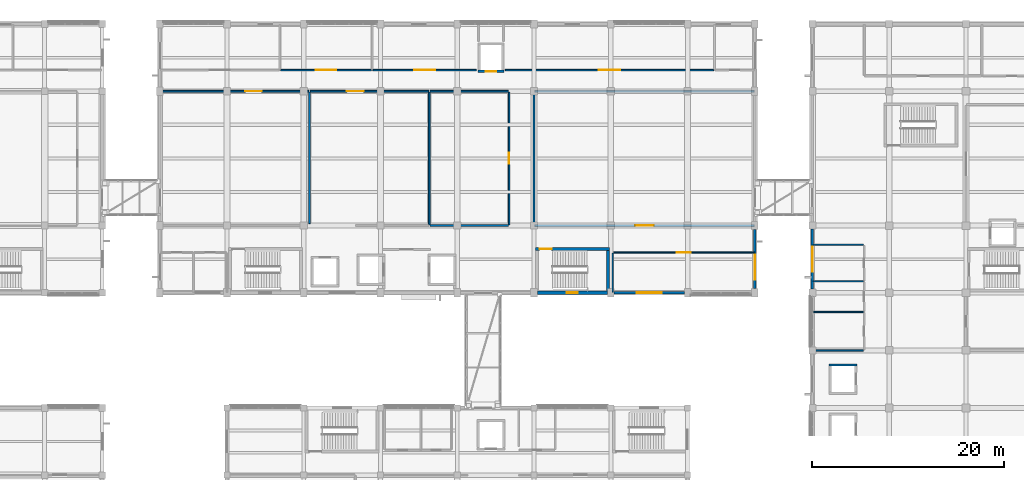
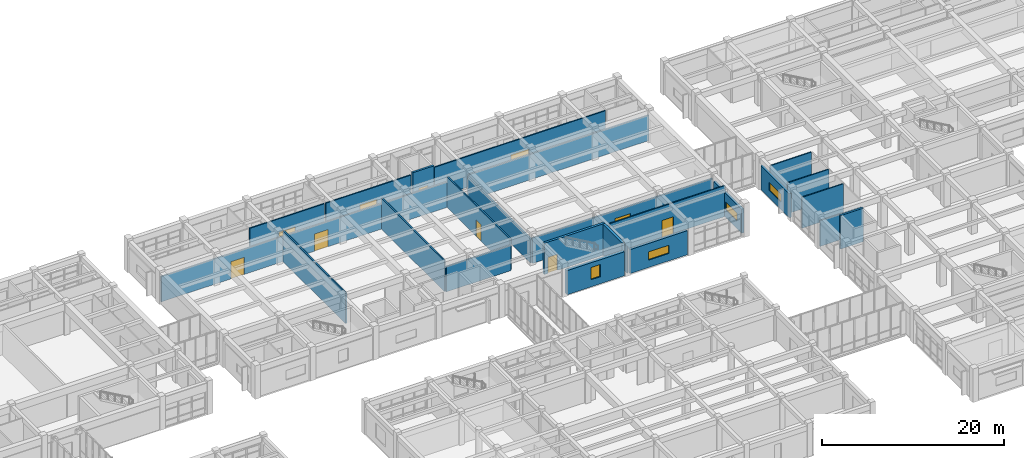
# One storey, part 51 of 70: 27 walls, 10 doors, 4 windows, 14 openings.
"""IFC4 building model written with IfcOpenShell, lengths in metres."""

from ifc_helpers import new_model, si_unit, direction, frame, frame_2d, origin, place, context, subcontext, project, spatial, rectangle, extrude, material, layer, layer_set, type_object, element, fill, save


model = new_model("IFC4")

# Units and contexts
model_context = context("Model", 3, precision=1e-05, world=origin(), true_north=direction((0.0, 1.0)))
body_context = subcontext(model_context, "Body", "Model", "MODEL_VIEW")
ifc_project = project(units=[si_unit("LENGTHUNIT", "METRE"), si_unit("AREAUNIT", "SQUARE_METRE"), si_unit("VOLUMEUNIT", "CUBIC_METRE"), si_unit("PLANEANGLEUNIT", "RADIAN"), si_unit("MASSUNIT", "GRAM", prefix="KILO")], contexts=[model_context])

# Site, building, storey
site_placement = place(None, origin())
site = spatial("IfcSite", under=ifc_project, at=site_placement, CompositionType="ELEMENT")
building_placement = place(site_placement, origin())
building = spatial("IfcBuilding", under=site, at=building_placement, Name="Naurynzar Civic Courthouse", CompositionType="ELEMENT")
storey_placement = place(building_placement, frame((0.0, 0.0, 5.39990234375)))
storey = spatial("IfcBuildingStorey", under=building, at=storey_placement, Name="L02", CompositionType="ELEMENT", Elevation=5.39990234375)

# Wall, opening, door
ifc_material_1 = material(Name="Acoustic Double-Stud Gypsum Partition")
ifc_layer_1 = layer(ifc_material_1, 0.169921875)
ifc_layer_set_1 = layer_set([ifc_layer_1], Name="WL-ACOUSTIC-170")
wall_type_1 = type_object("IfcWallType", Name="WL-ACOUSTIC-170", PredefinedType="PARTITIONING", material=ifc_layer_set_1)
wall_1_placement = place(storey_placement, frame((62.080078125, 65.0, 0.0), z_axis=(0.0, 0.0, 1.0), x_axis=(1.0, 0.0, 0.0)))
wall_1 = element("IfcWall", 1, at=wall_1_placement, inside=storey, type_object=wall_type_1, Name="V2 interior partition L02.237", PredefinedType="PARTITIONING", context=body_context, shape_type="SweptSolid", body=[
    extrude(rectangle(XDim=15.43994140625, YDim=0.169921875, at=frame_2d((7.719970703125, 0.0))), origin(), (0.0, 0.0, 1.0), 3.400146484375),
])
opening_1_placement = place(wall_1_placement, frame((8.825927734375, 0.0, 0.0)))
opening_1 = element("IfcOpeningElement", 2, at=opening_1_placement, cuts=wall_1, Name="Opening D-117", PredefinedType="OPENING", context=body_context, shape_type="SweptSolid", body=[
    extrude(rectangle(XDim=1.699951171875, YDim=2.300048828125, at=frame_2d((0.85009765625, 1.14990234375))), frame((0.0, 0.094970703125, 0.0), z_axis=(0.0, -1.0, 0.0), x_axis=(1.0, 0.0, 0.0)), (0.0, 0.0, 1.0), 0.18994140625),
])
ifc_material_2 = material(Name="Acoustic Oak Timber Grade A", Category="wood")
door_type_1 = type_object("IfcDoorType", Name="DR-SUITE-1700x2300", OperationType="DOUBLE_DOOR_SINGLE_SWING", PredefinedType="DOOR", material=ifc_material_2)
door_1_placement = place(opening_1_placement, origin())
door_1 = element("IfcDoor", 3, at=door_1_placement, inside=storey, type_object=door_type_1, Name="Interior door D-117 (Civil Jury Courtroom 2A)", OperationType="DOUBLE_DOOR_SINGLE_SWING", OverallHeight=2.300048828125, OverallWidth=1.699951171875, PredefinedType="DOOR", context=body_context, shape_type="SweptSolid", body=[
    extrude(rectangle(XDim=1.699951171875, YDim=2.300048828125, at=frame_2d((0.85009765625, 1.14990234375))), frame((0.0, 0.02490234375, 0.0), z_axis=(0.0, -1.0, 0.0), x_axis=(1.0, 0.0, 0.0)), (0.0, 0.0, 1.0), 0.050048828125),
])
fill(opening_1, door_1)

ifc_material_3 = material(Name="Acoustic Double-Stud Gypsum Partition")
ifc_layer_2 = layer(ifc_material_3, 0.175048828125)
ifc_layer_set_2 = layer_set([ifc_layer_2], Name="WL-ACOUSTIC-175")
wall_type_2 = type_object("IfcWallType", Name="WL-ACOUSTIC-175", PredefinedType="PARTITIONING", material=ifc_layer_set_2)
wall_2_placement = place(storey_placement, frame((77.679931640625, 65.0, 0.0), z_axis=(0.0, 0.0, 1.0), x_axis=(1.0, 0.0, 0.0)))
wall_2 = element("IfcWall", 4, at=wall_2_placement, inside=storey, type_object=wall_type_2, Name="V2 interior partition L02.238", PredefinedType="PARTITIONING", context=body_context, shape_type="SweptSolid", body=[
    extrude(rectangle(XDim=12.320068359375, YDim=0.175048828125, at=frame_2d((6.16015625, 0.0))), origin(), (0.0, 0.0, 1.0), 3.400146484375),
])
opening_2_placement = place(wall_2_placement, frame((3.804443359375, 0.0, 0.0)))
opening_2 = element("IfcOpeningElement", 5, at=opening_2_placement, cuts=wall_2, Name="Opening D-118", PredefinedType="OPENING", context=body_context, shape_type="SweptSolid", body=[
    extrude(rectangle(XDim=1.75, YDim=2.300048828125, at=frame_2d((0.875, 1.14990234375))), frame((0.0, 0.097412109375, 0.0), z_axis=(0.0, -1.0, 0.0), x_axis=(1.0, 0.0, 0.0)), (0.0, 0.0, 1.0), 0.195068359375),
])
ifc_material_4 = material(Name="Acoustic Oak Timber Grade A", Category="wood")
door_type_2 = type_object("IfcDoorType", Name="DR-SUITE-1750x2300", OperationType="DOUBLE_DOOR_SINGLE_SWING", PredefinedType="DOOR", material=ifc_material_4)
door_2_placement = place(opening_2_placement, origin())
door_2 = element("IfcDoor", 6, at=door_2_placement, inside=storey, type_object=door_type_2, Name="Interior door D-118 (Civil Trial Courtroom 2B)", OperationType="DOUBLE_DOOR_SINGLE_SWING", OverallHeight=2.300048828125, OverallWidth=1.75, PredefinedType="DOOR", context=body_context, shape_type="SweptSolid", body=[
    extrude(rectangle(XDim=1.75, YDim=2.300048828125, at=frame_2d((0.875, 1.14990234375))), frame((0.0, 0.02490234375, 0.0), z_axis=(0.0, -1.0, 0.0), x_axis=(1.0, 0.0, 0.0)), (0.0, 0.0, 1.0), 0.050048828125),
])
fill(opening_2, door_2)

# Wall
wall_3_placement = place(storey_placement, frame((77.60009765625, 51.199951171875, 0.0), z_axis=(0.0, 0.0, 1.0), x_axis=(0.0, 1.0, 0.0)))
element("IfcWall", 7, at=wall_3_placement, inside=storey, type_object=wall_type_2, Name="V2 interior partition L02.275", PredefinedType="PARTITIONING", context=body_context, shape_type="SweptSolid", body=[
    extrude(rectangle(XDim=13.719970703125, YDim=0.175048828125, at=frame_2d((6.85986328125, 0.0))), origin(), (0.0, 0.0, 1.0), 4.14013671875),
])

# Wall, opening, door
ifc_material_5 = material(Name="Acoustic Double-Stud Gypsum Partition")
ifc_layer_3 = layer(ifc_material_5, 0.18994140625)
ifc_layer_set_3 = layer_set([ifc_layer_3], Name="WL-ACOUSTIC-190")
wall_type_3 = type_object("IfcWallType", Name="WL-ACOUSTIC-190", PredefinedType="PARTITIONING", material=ifc_layer_set_3)
wall_4_placement = place(storey_placement, frame((101.080078125, 51.0, 0.0), z_axis=(0.0, 0.0, 1.0), x_axis=(1.0, 0.0, 0.0)))
wall_4 = element("IfcWall", 8, at=wall_4_placement, inside=storey, type_object=wall_type_3, Name="V2 interior partition L02.229", PredefinedType="PARTITIONING", context=body_context, shape_type="SweptSolid", body=[
    extrude(rectangle(XDim=22.83984375, YDim=0.18994140625, at=frame_2d((11.419921875, 0.0))), origin(), (0.0, 0.0, 1.0), 3.400146484375),
])
opening_3_placement = place(wall_4_placement, frame((10.445068359375, 0.0, 0.0)))
opening_3 = element("IfcOpeningElement", 9, at=opening_3_placement, cuts=wall_4, Name="Opening D-120", PredefinedType="OPENING", context=body_context, shape_type="SweptSolid", body=[
    extrude(rectangle(XDim=1.949951171875, YDim=2.35009765625, at=frame_2d((0.97509765625, 1.175048828125))), frame((0.0, 0.10498046875, 0.0), z_axis=(0.0, -1.0, 0.0), x_axis=(1.0, 0.0, 0.0)), (0.0, 0.0, 1.0), 0.2099609375),
])
ifc_material_6 = material(Name="Acoustic Oak Timber Grade A", Category="wood")
door_type_3 = type_object("IfcDoorType", Name="DR-SUITE-1950x2350", OperationType="DOUBLE_DOOR_SINGLE_SWING", PredefinedType="DOOR", material=ifc_material_6)
door_3_placement = place(opening_3_placement, origin())
door_3 = element("IfcDoor", 10, at=door_3_placement, inside=storey, type_object=door_type_3, Name="Interior door D-120 (Civil Chamber Courtroom L02-E)", OperationType="DOUBLE_DOOR_SINGLE_SWING", OverallHeight=2.35009765625, OverallWidth=1.949951171875, PredefinedType="DOOR", context=body_context, shape_type="SweptSolid", body=[
    extrude(rectangle(XDim=1.949951171875, YDim=2.35009765625, at=frame_2d((0.97509765625, 1.175048828125))), frame((0.0, 0.02490234375, 0.0), z_axis=(0.0, -1.0, 0.0), x_axis=(1.0, 0.0, 0.0)), (0.0, 0.0, 1.0), 0.050048828125),
])
fill(opening_3, door_3)

# Walls
wall_5_placement = place(storey_placement, frame((101.080078125, 65.0, 0.0), z_axis=(0.0, 0.0, 1.0), x_axis=(1.0, 0.0, 0.0)))
element("IfcWall", 11, at=wall_5_placement, inside=storey, type_object=wall_type_3, Name="V2 interior partition L02.240", PredefinedType="PARTITIONING", context=body_context, shape_type="SweptSolid", body=[
    extrude(rectangle(XDim=22.83984375, YDim=0.18994140625, at=frame_2d((11.419921875, 0.0))), origin(), (0.0, 0.0, 1.0), 3.400146484375),
])
wall_6_placement = place(storey_placement, frame((101.0, 51.080078125, 0.0), z_axis=(0.0, 0.0, 1.0), x_axis=(0.0, 1.0, 0.0)))
element("IfcWall", 12, at=wall_6_placement, inside=storey, type_object=wall_type_3, Name="V2 interior partition L02.287", PredefinedType="PARTITIONING", context=body_context, shape_type="SweptSolid", body=[
    extrude(rectangle(XDim=13.83984375, YDim=0.18994140625, at=frame_2d((6.919921875, 0.0))), origin(), (0.0, 0.0, 1.0), 3.25),
])

# Wall, opening, door
ifc_material_7 = material(Name="Concrete C40/50", Category="concrete")
ifc_layer_4 = layer(ifc_material_7, 0.300048828125)
ifc_layer_set_4 = layer_set([ifc_layer_4], Name="WL-CORE-300")
wall_type_4 = type_object("IfcWallType", Name="WL-CORE-300", PredefinedType="SHEAR", material=ifc_layer_set_4)
wall_7_placement = place(storey_placement, frame((108.85009765625, 48.550048828125, 0.0), z_axis=(0.0, 0.0, 1.0), x_axis=(-1.0, 0.0, 0.0)))
wall_7 = element("IfcWall", 13, at=wall_7_placement, inside=storey, type_object=wall_type_4, Name="Stair ST-V2B enclosure wall north L02", PredefinedType="SHEAR", context=body_context, shape_type="SweptSolid", body=[
    extrude(rectangle(XDim=7.7001953125, YDim=0.300048828125, at=frame_2d((3.85009765625, 0.0))), origin(), (0.0, 0.0, 1.0), 4.2001953125),
])
opening_4_placement = place(wall_7_placement, frame((6.02490234375, 0.0, 0.0)))
opening_4 = element("IfcOpeningElement", 14, at=opening_4_placement, cuts=wall_7, Name="Opening SD-036", PredefinedType="OPENING", context=body_context, shape_type="SweptSolid", body=[
    extrude(rectangle(XDim=1.25, YDim=2.14990234375, at=frame_2d((0.625, 1.074951171875))), frame((0.0, 0.159912109375, 0.0), z_axis=(0.0, -1.0, 0.0), x_axis=(1.0, 0.0, 0.0)), (0.0, 0.0, 1.0), 0.320068359375),
])
ifc_material_8 = material(Name="Powder-Coated Galvanised Steel", Category="steel")
door_type_4 = type_object("IfcDoorType", Name="DR-STAIR-1250x2150", OperationType="NOTDEFINED", PredefinedType="DOOR", material=ifc_material_8)
door_4_placement = place(opening_4_placement, origin())
door_4 = element("IfcDoor", 15, at=door_4_placement, inside=storey, type_object=door_type_4, Name="Stair ST-V2B fire door L02", OperationType="SINGLE_SWING_RIGHT", OverallHeight=2.14990234375, OverallWidth=1.25, PredefinedType="DOOR", context=body_context, shape_type="SweptSolid", body=[
    extrude(rectangle(XDim=1.25, YDim=2.14990234375, at=frame_2d((0.625, 1.074951171875))), frame((0.0, 0.02490234375, 0.0), z_axis=(0.0, -1.0, 0.0), x_axis=(1.0, 0.0, 0.0)), (0.0, 0.0, 1.0), 0.050048828125),
])
fill(opening_4, door_4)

# Wall
wall_8_placement = place(storey_placement, frame((108.699951171875, 44.195068359375, 0.0), z_axis=(0.0, 0.0, 1.0), x_axis=(0.0, 1.0, 0.0)))
element("IfcWall", 16, at=wall_8_placement, inside=storey, type_object=wall_type_4, Name="Stair ST-V2B enclosure wall east L02", PredefinedType="SHEAR", context=body_context, shape_type="SweptSolid", body=[
    extrude(rectangle(XDim=4.199951171875, YDim=0.300048828125, at=frame_2d((2.10009765625, 0.0))), origin(), (0.0, 0.0, 1.0), 4.2001953125),
])

# Wall, opening, window
ifc_material_9 = material(Name="Precast concrete C40/50", Category="concrete")
ifc_layer_5 = layer(ifc_material_9, 0.260009765625)
ifc_layer_set_5 = layer_set([ifc_layer_5], Name="WL-EXT-260")
wall_type_5 = type_object("IfcWallType", Name="WL-EXT-260", PredefinedType="SOLIDWALL", material=ifc_layer_set_5)
wall_9_placement = place(storey_placement, frame((130.0, 44.375, 0.0), z_axis=(0.0, 0.0, 1.0), x_axis=(0.0, 1.0, 0.0)))
wall_9 = element("IfcWall", 17, at=wall_9_placement, inside=storey, type_object=wall_type_5, Name="V5 exterior wall west L02.7.1", PredefinedType="SOLIDWALL", context=body_context, shape_type="SweptSolid", body=[
    extrude(rectangle(XDim=6.25, YDim=0.260009765625, at=frame_2d((3.125, 0.0))), origin(), (0.0, 0.0, 1.0), 3.22998046875),
])
opening_5_placement = place(wall_9_placement, frame((1.804931640625, 0.0, 1.0)))
opening_5 = element("IfcOpeningElement", 18, at=opening_5_placement, cuts=wall_9, Name="Opening WN-17", PredefinedType="OPENING", context=body_context, shape_type="SweptSolid", body=[
    extrude(rectangle(XDim=2.60009765625, YDim=1.10009765625, at=frame_2d((1.300048828125, 0.550048828125))), frame((0.0, 0.139892578125, 0.0), z_axis=(0.0, -1.0, 0.0), x_axis=(1.0, 0.0, 0.0)), (0.0, 0.0, 1.0), 0.280029296875),
])
ifc_material_10 = material(Name="Tempered Laminated Low-E Glass", Category="glass")
window_type_1 = type_object("IfcWindowType", Name="WIN-CLER-2600x1100", PartitioningType="DOUBLE_PANEL_VERTICAL", PredefinedType="WINDOW", material=ifc_material_10)
window_1_placement = place(opening_5_placement, origin())
window_1 = element("IfcWindow", 19, at=window_1_placement, inside=storey, type_object=window_type_1, Name="V5 window 264 L02", OverallHeight=1.10009765625, OverallWidth=2.60009765625, PartitioningType="SINGLE_PANEL", PredefinedType="WINDOW", context=body_context, shape_type="SweptSolid", body=[
    extrude(rectangle(XDim=2.60009765625, YDim=1.10009765625, at=frame_2d((1.300048828125, 0.550048828125))), frame((0.0, 0.030029296875, 0.0), z_axis=(0.0, -1.0, 0.0), x_axis=(1.0, 0.0, 0.0)), (0.0, 0.0, 1.0), 0.06005859375),
])
fill(opening_5, window_1)

ifc_material_11 = material(Name="Precast concrete C40/50", Category="concrete")
ifc_layer_6 = layer(ifc_material_11, 0.300048828125)
ifc_layer_set_6 = layer_set([ifc_layer_6], Name="WL-EXT-300")
wall_type_6 = type_object("IfcWallType", Name="WL-EXT-300", PredefinedType="SOLIDWALL", material=ifc_layer_set_6)
wall_10_placement = place(storey_placement, frame((124.0, 50.574951171875, 0.0), z_axis=(0.0, 0.0, 1.0), x_axis=(0.0, -1.0, 0.0)))
wall_10 = element("IfcWall", 20, at=wall_10_placement, inside=storey, type_object=wall_type_6, Name="V2 exterior wall east L02.3.1", PredefinedType="SOLIDWALL", context=body_context, shape_type="SweptSolid", body=[
    extrude(rectangle(XDim=6.14990234375, YDim=0.300048828125, at=frame_2d((3.074951171875, 0.0))), origin(), (0.0, 0.0, 1.0), 3.22998046875),
])
opening_6_placement = place(wall_10_placement, frame((2.594970703125, 0.0, 1.0)))
opening_6 = element("IfcOpeningElement", 21, at=opening_6_placement, cuts=wall_10, Name="Opening WN-17", PredefinedType="OPENING", context=body_context, shape_type="SweptSolid", body=[
    extrude(rectangle(XDim=2.60009765625, YDim=1.10009765625, at=frame_2d((1.300048828125, 0.550048828125))), frame((0.0, 0.159912109375, 0.0), z_axis=(0.0, -1.0, 0.0), x_axis=(1.0, 0.0, 0.0)), (0.0, 0.0, 1.0), 0.320068359375),
])
window_2_placement = place(opening_6_placement, origin())
window_2 = element("IfcWindow", 22, at=window_2_placement, inside=storey, type_object=window_type_1, Name="V2 window 58 L02", OverallHeight=1.10009765625, OverallWidth=2.60009765625, PartitioningType="SINGLE_PANEL", PredefinedType="WINDOW", context=body_context, shape_type="SweptSolid", body=[
    extrude(rectangle(XDim=2.60009765625, YDim=1.10009765625, at=frame_2d((1.300048828125, 0.550048828125))), frame((0.0, 0.030029296875, 0.0), z_axis=(0.0, -1.0, 0.0), x_axis=(1.0, 0.0, 0.0)), (0.0, 0.0, 1.0), 0.06005859375),
])
fill(opening_6, window_2)

wall_11_placement = place(storey_placement, frame((116.64990234375, 44.0, 0.0), z_axis=(0.0, 0.0, 1.0), x_axis=(-1.0, 0.0, 0.0)))
wall_11 = element("IfcWall", 23, at=wall_11_placement, inside=storey, type_object=wall_type_6, Name="V2 exterior wall south L02.2.1", PredefinedType="SOLIDWALL", context=body_context, shape_type="SweptSolid", body=[
    extrude(rectangle(XDim=7.2998046875, YDim=0.300048828125, at=frame_2d((3.64990234375, 0.0))), origin(), (0.0, 0.0, 1.0), 3.22998046875),
])
opening_7_placement = place(wall_11_placement, frame((2.35009765625, 0.0, 1.0)))
opening_7 = element("IfcOpeningElement", 24, at=opening_7_placement, cuts=wall_11, Name="Opening WN-17", PredefinedType="OPENING", context=body_context, shape_type="SweptSolid", body=[
    extrude(rectangle(XDim=2.60009765625, YDim=1.10009765625, at=frame_2d((1.300048828125, 0.550048828125))), frame((0.0, 0.159912109375, 0.0), z_axis=(0.0, -1.0, 0.0), x_axis=(1.0, 0.0, 0.0)), (0.0, 0.0, 1.0), 0.320068359375),
])
window_3_placement = place(opening_7_placement, origin())
window_3 = element("IfcWindow", 25, at=window_3_placement, inside=storey, type_object=window_type_1, Name="V2 window 59 L02", OverallHeight=1.10009765625, OverallWidth=2.60009765625, PartitioningType="SINGLE_PANEL", PredefinedType="WINDOW", context=body_context, shape_type="SweptSolid", body=[
    extrude(rectangle(XDim=2.60009765625, YDim=1.10009765625, at=frame_2d((1.300048828125, 0.550048828125))), frame((0.0, 0.030029296875, 0.0), z_axis=(0.0, -1.0, 0.0), x_axis=(1.0, 0.0, 0.0)), (0.0, 0.0, 1.0), 0.06005859375),
])
fill(opening_7, window_3)

# Wall, opening, door
ifc_material_12 = material(Name="Insulated Metal-Stud Gypsum Partition")
ifc_layer_7 = layer(ifc_material_12, 0.159912109375)
ifc_layer_set_7 = layer_set([ifc_layer_7], Name="WL-PART-CHAMB-160")
wall_type_7 = type_object("IfcWallType", Name="WL-PART-CHAMB-160", PredefinedType="PARTITIONING", material=ifc_layer_set_7)
wall_12_placement = place(storey_placement, frame((74.590087890625, 67.199951171875, 0.0), z_axis=(0.0, 0.0, 1.0), x_axis=(1.0, 0.0, 0.0)))
wall_12 = element("IfcWall", 26, at=wall_12_placement, inside=storey, type_object=wall_type_7, Name="V2 interior partition L02.250", PredefinedType="PARTITIONING", context=body_context, shape_type="SweptSolid", body=[
    extrude(rectangle(XDim=9.4599609375, YDim=0.159912109375, at=frame_2d((4.72998046875, 0.0))), origin(), (0.0, 0.0, 1.0), 4.14013671875),
])
opening_8_placement = place(wall_12_placement, frame((3.679931640625, 0.0, 0.0)))
opening_8 = element("IfcOpeningElement", 27, at=opening_8_placement, cuts=wall_12, Name="Opening D-122", PredefinedType="OPENING", context=body_context, shape_type="SweptSolid", body=[
    extrude(rectangle(XDim=2.10009765625, YDim=2.35009765625, at=frame_2d((1.050048828125, 1.175048828125))), frame((0.0, 0.08984375, 0.0), z_axis=(0.0, -1.0, 0.0), x_axis=(1.0, 0.0, 0.0)), (0.0, 0.0, 1.0), 0.179931640625),
])
ifc_material_13 = material(Name="Acoustic Oak Timber Grade A", Category="wood")
door_type_5 = type_object("IfcDoorType", Name="DR-SUITE-2100x2350", OperationType="DOUBLE_DOOR_SINGLE_SWING", PredefinedType="DOOR", material=ifc_material_13)
door_5_placement = place(opening_8_placement, origin())
door_5 = element("IfcDoor", 28, at=door_5_placement, inside=storey, type_object=door_type_5, Name="Interior door D-122 (Judges' Chambers L02-2)", OperationType="DOUBLE_DOOR_SINGLE_SWING", OverallHeight=2.35009765625, OverallWidth=2.10009765625, PredefinedType="DOOR", context=body_context, shape_type="SweptSolid", body=[
    extrude(rectangle(XDim=2.10009765625, YDim=2.35009765625, at=frame_2d((1.050048828125, 1.175048828125))), frame((0.0, 0.02490234375, 0.0), z_axis=(0.0, -1.0, 0.0), x_axis=(1.0, 0.0, 0.0)), (0.0, 0.0, 1.0), 0.050048828125),
])
fill(opening_8, door_5)

wall_13_placement = place(storey_placement, frame((84.2099609375, 67.199951171875, 0.0), z_axis=(0.0, 0.0, 1.0), x_axis=(1.0, 0.0, 0.0)))
wall_13 = element("IfcWall", 29, at=wall_13_placement, inside=storey, type_object=wall_type_7, Name="V2 interior partition L02.251", PredefinedType="PARTITIONING", context=body_context, shape_type="SweptSolid", body=[
    extrude(rectangle(XDim=10.7900390625, YDim=0.159912109375, at=frame_2d((5.39501953125, 0.0))), origin(), (0.0, 0.0, 1.0), 4.14013671875),
])
opening_9_placement = place(wall_13_placement, frame((4.320068359375, 0.0, 0.0)))
opening_9 = element("IfcOpeningElement", 30, at=opening_9_placement, cuts=wall_13, Name="Opening D-123", PredefinedType="OPENING", context=body_context, shape_type="SweptSolid", body=[
    extrude(rectangle(XDim=2.14990234375, YDim=2.39990234375, at=frame_2d((1.074951171875, 1.199951171875))), frame((0.0, 0.08984375, 0.0), z_axis=(0.0, -1.0, 0.0), x_axis=(1.0, 0.0, 0.0)), (0.0, 0.0, 1.0), 0.179931640625),
])
ifc_material_14 = material(Name="Acoustic Oak Timber Grade A", Category="wood")
door_type_6 = type_object("IfcDoorType", Name="DR-SUITE-2150x2400", OperationType="DOUBLE_DOOR_SINGLE_SWING", PredefinedType="DOOR", material=ifc_material_14)
door_6_placement = place(opening_9_placement, origin())
door_6 = element("IfcDoor", 31, at=door_6_placement, inside=storey, type_object=door_type_6, Name="Interior door D-123 (Judges' Chambers L02-3)", OperationType="DOUBLE_DOOR_SINGLE_SWING", OverallHeight=2.39990234375, OverallWidth=2.14990234375, PredefinedType="DOOR", context=body_context, shape_type="SweptSolid", body=[
    extrude(rectangle(XDim=2.14990234375, YDim=2.39990234375, at=frame_2d((1.074951171875, 1.199951171875))), frame((0.0, 0.02490234375, 0.0), z_axis=(0.0, -1.0, 0.0), x_axis=(1.0, 0.0, 0.0)), (0.0, 0.0, 1.0), 0.050048828125),
])
fill(opening_9, door_6)

wall_14_placement = place(storey_placement, frame((98.0, 67.199951171875, 0.0), z_axis=(0.0, 0.0, 1.0), x_axis=(1.0, 0.0, 0.0)))
wall_14 = element("IfcWall", 32, at=wall_14_placement, inside=storey, type_object=wall_type_7, Name="V2 interior partition L02.252", PredefinedType="PARTITIONING", context=body_context, shape_type="SweptSolid", body=[
    extrude(rectangle(XDim=21.719970703125, YDim=0.159912109375, at=frame_2d((10.85986328125, 0.0))), origin(), (0.0, 0.0, 1.0), 4.14013671875),
])
opening_10_placement = place(wall_14_placement, frame((9.735107421875, 0.0, 0.0)))
opening_10 = element("IfcOpeningElement", 33, at=opening_10_placement, cuts=wall_14, Name="Opening D-124", PredefinedType="OPENING", context=body_context, shape_type="SweptSolid", body=[
    extrude(rectangle(XDim=2.25, YDim=2.39990234375, at=frame_2d((1.125, 1.199951171875))), frame((0.0, 0.08984375, 0.0), z_axis=(0.0, -1.0, 0.0), x_axis=(1.0, 0.0, 0.0)), (0.0, 0.0, 1.0), 0.179931640625),
])
ifc_material_15 = material(Name="Acoustic Oak Timber Grade A", Category="wood")
door_type_7 = type_object("IfcDoorType", Name="DR-SUITE-2250x2400", OperationType="DOUBLE_DOOR_SINGLE_SWING", PredefinedType="DOOR", material=ifc_material_15)
door_7_placement = place(opening_10_placement, origin())
door_7 = element("IfcDoor", 34, at=door_7_placement, inside=storey, type_object=door_type_7, Name="Interior door D-124 (Senior Judges' Chambers L02-E)", OperationType="DOUBLE_DOOR_SINGLE_SWING", OverallHeight=2.39990234375, OverallWidth=2.25, PredefinedType="DOOR", context=body_context, shape_type="SweptSolid", body=[
    extrude(rectangle(XDim=2.25, YDim=2.39990234375, at=frame_2d((1.125, 1.199951171875))), frame((0.0, 0.02490234375, 0.0), z_axis=(0.0, -1.0, 0.0), x_axis=(1.0, 0.0, 0.0)), (0.0, 0.0, 1.0), 0.050048828125),
])
fill(opening_10, door_7)

ifc_material_16 = material(Name="Fire-Rated Corridor Gypsum Partition")
ifc_layer_8 = layer(ifc_material_16, 0.14990234375)
ifc_layer_set_8 = layer_set([ifc_layer_8], Name="WL-PART-CORR-150")
wall_type_8 = type_object("IfcWallType", Name="WL-PART-CORR-150", PredefinedType="PARTITIONING", material=ifc_layer_set_8)
wall_15_placement = place(storey_placement, frame((109.280029296875, 48.199951171875, 0.0), z_axis=(0.0, 0.0, 1.0), x_axis=(1.0, 0.0, 0.0)))
wall_15 = element("IfcWall", 35, at=wall_15_placement, inside=storey, type_object=wall_type_8, Name="V2 interior partition L02.220", PredefinedType="PARTITIONING", context=body_context, shape_type="SweptSolid", body=[
    extrude(rectangle(XDim=14.639892578125, YDim=0.14990234375, at=frame_2d((7.31982421875, 0.0))), origin(), (0.0, 0.0, 1.0), 4.14013671875),
])
opening_11_placement = place(wall_15_placement, frame((6.594970703125, 0.0, 0.0)))
opening_11 = element("IfcOpeningElement", 36, at=opening_11_placement, cuts=wall_15, Name="Opening D-116", PredefinedType="OPENING", context=body_context, shape_type="SweptSolid", body=[
    extrude(rectangle(XDim=1.449951171875, YDim=2.25, at=frame_2d((0.72509765625, 1.125))), frame((0.0, 0.0849609375, 0.0), z_axis=(0.0, -1.0, 0.0), x_axis=(1.0, 0.0, 0.0)), (0.0, 0.0, 1.0), 0.169921875),
])
ifc_material_17 = material(Name="Acoustic Oak Timber Grade A", Category="wood")
door_type_8 = type_object("IfcDoorType", Name="DR-SUITE-1450x2250", OperationType="NOTDEFINED", PredefinedType="DOOR", material=ifc_material_17)
door_8_placement = place(opening_11_placement, origin())
door_8 = element("IfcDoor", 37, at=door_8_placement, inside=storey, type_object=door_type_8, Name="Interior door D-116 (Witness Waiting Room V2)", OperationType="SINGLE_SWING_RIGHT", OverallHeight=2.25, OverallWidth=1.449951171875, PredefinedType="DOOR", context=body_context, shape_type="SweptSolid", body=[
    extrude(rectangle(XDim=1.449951171875, YDim=2.25, at=frame_2d((0.72509765625, 1.125))), frame((0.0, 0.02490234375, 0.0), z_axis=(0.0, -1.0, 0.0), x_axis=(1.0, 0.0, 0.0)), (0.0, 0.0, 1.0), 0.050048828125),
])
fill(opening_11, door_8)

# Walls
wall_16_placement = place(storey_placement, frame((109.199951171875, 44.080078125, 0.0), z_axis=(0.0, 0.0, 1.0), x_axis=(0.0, 1.0, 0.0)))
element("IfcWall", 38, at=wall_16_placement, inside=storey, type_object=wall_type_8, Name="V2 interior partition L02.289", PredefinedType="PARTITIONING", context=body_context, shape_type="SweptSolid", body=[
    extrude(rectangle(XDim=4.0400390625, YDim=0.14990234375, at=frame_2d((2.02001953125, 0.0))), origin(), (0.0, 0.0, 1.0), 3.5),
])
ifc_material_18 = material(Name="Acoustic Double-Stud Gypsum Partition")
ifc_layer_9 = layer(ifc_material_18, 0.179931640625)
ifc_layer_set_9 = layer_set([ifc_layer_9], Name="WL-PART-JURY-180")
wall_type_9 = type_object("IfcWallType", Name="WL-PART-JURY-180", PredefinedType="PARTITIONING", material=ifc_layer_set_9)
for number, where, z_axis, x_axis, name in (
    (39, (90.159912109375, 51.0, 0.0), (0.0, 0.0, 1.0), (1.0, 0.0, 0.0), "V2 interior partition L02.228"),
    (40, (90.159912109375, 65.0, 0.0), (0.0, 0.0, 1.0), (1.0, 0.0, 0.0), "V2 interior partition L02.239"),
):
    element("IfcWall", number, at=place(storey_placement, frame(where, z_axis=z_axis, x_axis=x_axis)), inside=storey, type_object=wall_type_9, Name=name, PredefinedType="PARTITIONING", context=body_context, shape_type="SweptSolid", body=[
        extrude(rectangle(XDim=8.16015625, YDim=0.179931640625, at=frame_2d((4.080078125, 0.0))), origin(), (0.0, 0.0, 1.0), 3.400146484375),
    ])
wall_17_placement = place(storey_placement, frame((90.080078125, 51.080078125, 0.0), z_axis=(0.0, 0.0, 1.0), x_axis=(0.0, 1.0, 0.0)))
element("IfcWall", 41, at=wall_17_placement, inside=storey, type_object=wall_type_9, Name="V2 interior partition L02.281", PredefinedType="PARTITIONING", context=body_context, shape_type="SweptSolid", body=[
    extrude(rectangle(XDim=13.83984375, YDim=0.179931640625, at=frame_2d((6.919921875, 0.0))), origin(), (0.0, 0.0, 1.0), 4.14013671875),
])

# Wall, opening, door
wall_18_placement = place(storey_placement, frame((98.39990234375, 51.080078125, 0.0), z_axis=(0.0, 0.0, 1.0), x_axis=(0.0, 1.0, 0.0)))
wall_18 = element("IfcWall", 42, at=wall_18_placement, inside=storey, type_object=wall_type_9, Name="V2 interior partition L02.285", PredefinedType="PARTITIONING", context=body_context, shape_type="SweptSolid", body=[
    extrude(rectangle(XDim=13.83984375, YDim=0.179931640625, at=frame_2d((6.919921875, 0.0))), origin(), (0.0, 0.0, 1.0), 4.14013671875),
])
opening_12_placement = place(wall_18_placement, frame((6.344970703125, 0.0, 0.0)))
opening_12 = element("IfcOpeningElement", 43, at=opening_12_placement, cuts=wall_18, Name="Opening D-119", PredefinedType="OPENING", context=body_context, shape_type="SweptSolid", body=[
    extrude(rectangle(XDim=1.14990234375, YDim=2.199951171875, at=frame_2d((0.574951171875, 1.10009765625))), frame((0.0, 0.099853515625, 0.0), z_axis=(0.0, -1.0, 0.0), x_axis=(1.0, 0.0, 0.0)), (0.0, 0.0, 1.0), 0.199951171875),
])
ifc_material_19 = material(Name="Acoustic Oak Timber Grade A", Category="wood")
door_type_9 = type_object("IfcDoorType", Name="DR-JURY-1150x2200", OperationType="NOTDEFINED", PredefinedType="DOOR", material=ifc_material_19)
door_9_placement = place(opening_12_placement, origin())
door_9 = element("IfcDoor", 44, at=door_9_placement, inside=storey, type_object=door_type_9, Name="Interior door D-119 (Jury Room 2A)", OperationType="SINGLE_SWING_LEFT", OverallHeight=2.199951171875, OverallWidth=1.14990234375, PredefinedType="DOOR", context=body_context, shape_type="SweptSolid", body=[
    extrude(rectangle(XDim=1.14990234375, YDim=2.199951171875, at=frame_2d((0.574951171875, 1.10009765625))), frame((0.0, 0.02490234375, 0.0), z_axis=(0.0, -1.0, 0.0), x_axis=(1.0, 0.0, 0.0)), (0.0, 0.0, 1.0), 0.050048828125),
])
fill(opening_12, door_9)

# Walls
ifc_material_20 = material(Name="Moisture-Resistant Plumbing Partition")
ifc_layer_10 = layer(ifc_material_20, 0.139892578125)
ifc_layer_set_10 = layer_set([ifc_layer_10], Name="WL-PART-WC-140")
wall_type_10 = type_object("IfcWallType", Name="WL-PART-WC-140", PredefinedType="PLUMBINGWALL", material=ifc_layer_set_10)
wall_19_placement = place(storey_placement, frame((130.080078125, 38.0, 0.0), z_axis=(0.0, 0.0, 1.0), x_axis=(1.0, 0.0, 0.0)))
element("IfcWall", 45, at=wall_19_placement, inside=storey, type_object=wall_type_10, Name="V5 interior partition L02.210", PredefinedType="PLUMBINGWALL", context=body_context, shape_type="SweptSolid", body=[
    extrude(rectangle(XDim=5.239990234375, YDim=0.139892578125, at=frame_2d((2.6201171875, 0.0))), origin(), (0.0, 0.0, 1.0), 3.4501953125),
])
for number, where, z_axis, x_axis, name in (
    (46, (130.080078125, 42.0, 0.0), (0.0, 0.0, 1.0), (1.0, 0.0, 0.0), "V5 interior partition L02.212"),
    (47, (130.080078125, 45.199951171875, 0.0), (0.0, 0.0, 1.0), (1.0, 0.0, 0.0), "V5 interior partition L02.213"),
    (48, (130.080078125, 49.0, 0.0), (0.0, 0.0, 1.0), (1.0, 0.0, 0.0), "V5 interior partition L02.221"),
):
    element("IfcWall", number, at=place(storey_placement, frame(where, z_axis=z_axis, x_axis=x_axis)), inside=storey, type_object=wall_type_10, Name=name, PredefinedType="PLUMBINGWALL", context=body_context, shape_type="SweptSolid", body=[
        extrude(rectangle(XDim=5.239990234375, YDim=0.139892578125, at=frame_2d((2.6201171875, 0.0))), origin(), (0.0, 0.0, 1.0), 4.14013671875),
    ])

# Wall, opening, window
ifc_material_21 = material(Name="Concrete C40/50", Category="concrete")
ifc_layer_11 = layer(ifc_material_21, 0.3798828125)
ifc_layer_set_11 = layer_set([ifc_layer_11], Name="WL-RET-380")
wall_type_11 = type_object("IfcWallType", Name="WL-RET-380", PredefinedType="STANDARD", material=ifc_layer_set_11)
wall_20_placement = place(storey_placement, frame((108.64990234375, 44.0, 0.0), z_axis=(0.0, 0.0, 1.0), x_axis=(-1.0, 0.0, 0.0)))
wall_20 = element("IfcWall", 49, at=wall_20_placement, inside=storey, type_object=wall_type_11, Name="V2 exterior wall south L02.3.1", PredefinedType="STANDARD", context=body_context, shape_type="SweptSolid", body=[
    extrude(rectangle(XDim=7.2998046875, YDim=0.3798828125, at=frame_2d((3.64990234375, 0.0))), origin(), (0.0, 0.0, 1.0), 3.22998046875),
])
opening_13_placement = place(wall_20_placement, frame((3.074951171875, 0.0, 0.949951171875)))
opening_13 = element("IfcOpeningElement", 50, at=opening_13_placement, cuts=wall_20, Name="Opening WM-06", PredefinedType="OPENING", context=body_context, shape_type="SweptSolid", body=[
    extrude(rectangle(XDim=1.14990234375, YDim=1.64990234375, at=frame_2d((0.574951171875, 0.824951171875))), frame((0.0, 0.199951171875, 0.0), z_axis=(0.0, -1.0, 0.0), x_axis=(1.0, 0.0, 0.0)), (0.0, 0.0, 1.0), 0.39990234375),
])
ifc_material_22 = material(Name="Tempered Laminated Low-E Glass", Category="glass")
window_type_2 = type_object("IfcWindowType", Name="WIN-MOD-1150x1650", PartitioningType="SINGLE_PANEL", PredefinedType="WINDOW", material=ifc_material_22)
window_4_placement = place(opening_13_placement, origin())
window_4 = element("IfcWindow", 51, at=window_4_placement, inside=storey, type_object=window_type_2, Name="Modular glazed window 6", OverallHeight=1.64990234375, OverallWidth=1.14990234375, PartitioningType="SINGLE_PANEL", PredefinedType="WINDOW", context=body_context, shape_type="SweptSolid", body=[
    extrude(rectangle(XDim=1.14990234375, YDim=1.64990234375, at=frame_2d((0.574951171875, 0.824951171875))), frame((0.0, 0.030029296875, 0.0), z_axis=(0.0, -1.0, 0.0), x_axis=(1.0, 0.0, 0.0)), (0.0, 0.0, 1.0), 0.06005859375),
])
fill(opening_13, window_4)

# Wall, opening, door
ifc_material_23 = material(Name="Concrete C40/50", Category="concrete")
ifc_layer_12 = layer(ifc_material_23, 0.25)
ifc_layer_set_12 = layer_set([ifc_layer_12], Name="WL-SHAFT-250")
wall_type_12 = type_object("IfcWallType", Name="WL-SHAFT-250", PredefinedType="SHEAR", material=ifc_layer_set_12)
wall_21_placement = place(storey_placement, frame((95.14990234375, 67.074951171875, 0.0), z_axis=(0.0, 0.0, 1.0), x_axis=(1.0, 0.0, 0.0)))
wall_21 = element("IfcWall", 52, at=wall_21_placement, inside=storey, type_object=wall_type_12, Name="Lift LJ-02 shaft wall south L02", PredefinedType="SHEAR", context=body_context, shape_type="SweptSolid", body=[
    extrude(rectangle(XDim=2.7001953125, YDim=0.25, at=frame_2d((1.35009765625, 0.0))), origin(), (0.0, 0.0, 1.0), 4.5),
])
opening_14_placement = place(wall_21_placement, frame((0.800048828125, 0.0, 0.0)))
opening_14 = element("IfcOpeningElement", 53, at=opening_14_placement, cuts=wall_21, Name="Opening LD-052", PredefinedType="OPENING", context=body_context, shape_type="SweptSolid", body=[
    extrude(rectangle(XDim=1.10009765625, YDim=2.14990234375, at=frame_2d((0.550048828125, 1.074951171875))), frame((0.0, 0.135009765625, 0.0), z_axis=(0.0, -1.0, 0.0), x_axis=(1.0, 0.0, 0.0)), (0.0, 0.0, 1.0), 0.27001953125),
])
ifc_material_24 = material(Name="Brushed Stainless Steel 304", Category="steel")
door_type_10 = type_object("IfcDoorType", Name="DR-LIFT-SLIDE-1100x2150", OperationType="DOUBLE_DOOR_SLIDING", PredefinedType="DOOR", material=ifc_material_24)
door_10_placement = place(opening_14_placement, origin())
door_10 = element("IfcDoor", 54, at=door_10_placement, inside=storey, type_object=door_type_10, Name="Lift LJ-02 sliding landing door L02", OperationType="DOUBLE_DOOR_SLIDING", OverallHeight=2.14990234375, OverallWidth=1.10009765625, PredefinedType="DOOR", context=body_context, shape_type="SweptSolid", body=[
    extrude(rectangle(XDim=1.10009765625, YDim=2.14990234375, at=frame_2d((0.550048828125, 1.074951171875))), frame((0.0, 0.02490234375, 0.0), z_axis=(0.0, -1.0, 0.0), x_axis=(1.0, 0.0, 0.0)), (0.0, 0.0, 1.0), 0.050048828125),
])
fill(opening_14, door_10)

# Wall
wall_22_placement = place(storey_placement, frame((134.64990234375, 36.47509765625, 0.0), z_axis=(0.0, 0.0, 1.0), x_axis=(-1.0, 0.0, 0.0)))
element("IfcWall", 55, at=wall_22_placement, inside=storey, type_object=wall_type_12, Name="Lift LP-05 shaft wall north L02", PredefinedType="SHEAR", context=body_context, shape_type="SweptSolid", body=[
    extrude(rectangle(XDim=2.89990234375, YDim=0.25, at=frame_2d((1.449951171875, 0.0))), origin(), (0.0, 0.0, 1.0), 4.5),
])

save(model, "model.ifc")
